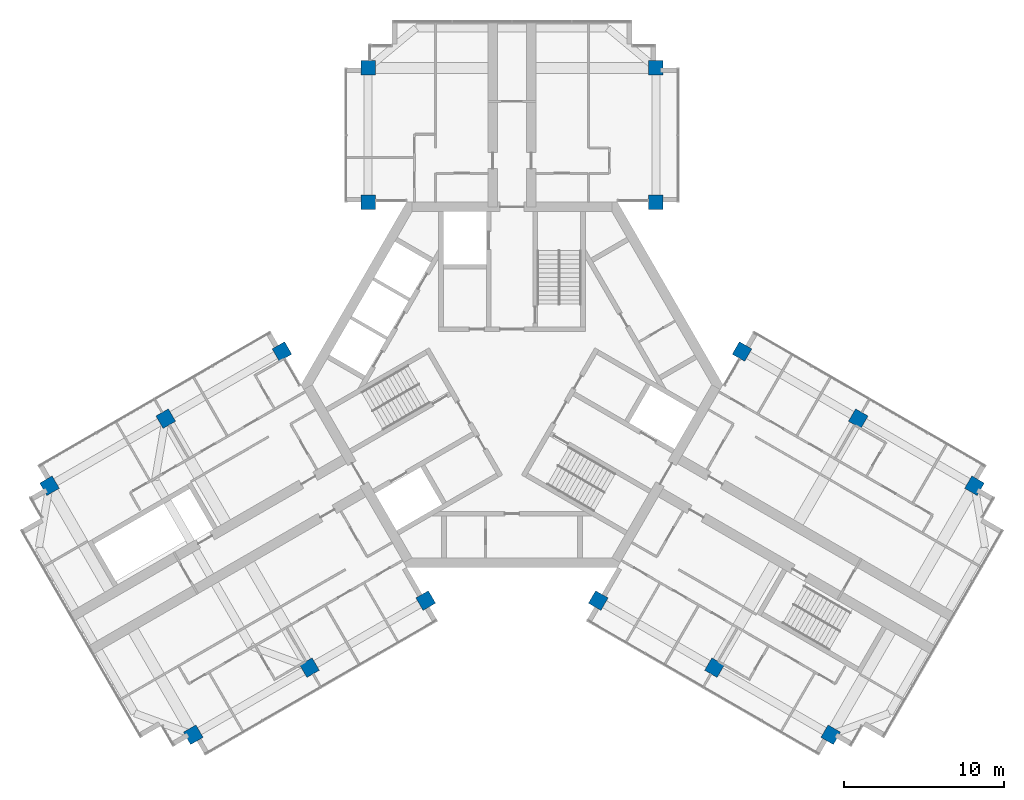
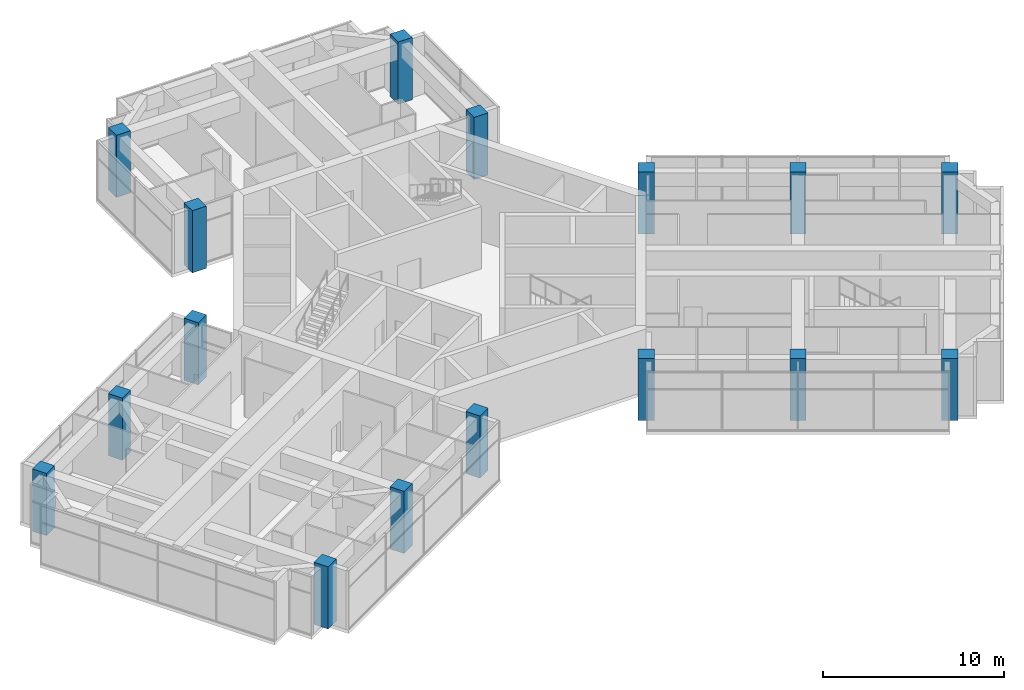
# One storey, part 1 of 14: 16 columns.
"""IFC4 building model written with IfcOpenShell, lengths in metres."""

from ifc_helpers import new_model, si_unit, direction, frame, origin, origin_2d, place, context, subcontext, project, spatial, rectangle, extrude, material, material_profile, profile_set, type_object, element, save


model = new_model("IFC4")

# Units and contexts
model_context = context("Model", 3, precision=1e-05, world=origin(), true_north=direction((0.0, 1.0)))
body_context = subcontext(model_context, "Body", "Model", "MODEL_VIEW")
ifc_project = project(units=[si_unit("LENGTHUNIT", "METRE"), si_unit("AREAUNIT", "SQUARE_METRE"), si_unit("VOLUMEUNIT", "CUBIC_METRE"), si_unit("PLANEANGLEUNIT", "RADIAN"), si_unit("MASSUNIT", "GRAM", prefix="KILO")], contexts=[model_context])

# Site, building, storey
site_placement = place(None, origin())
site = spatial("IfcSite", under=ifc_project, at=site_placement, CompositionType="ELEMENT")
building_placement = place(site_placement, origin())
building = spatial("IfcBuilding", under=site, at=building_placement, Name="Impinga Residences", CompositionType="ELEMENT")
storey_placement = place(building_placement, frame((0.0, 0.0, 278.949951171875)))
storey = spatial("IfcBuildingStorey", under=building, at=storey_placement, Name="L70", CompositionType="ELEMENT", Elevation=278.949951171875)

# Columns
ifc_material = material(Name="Concrete C60/75", Category="concrete")
ifc_material_profile = material_profile(ifc_material, rectangle(XDim=0.89990234375, YDim=0.89990234375, at=origin_2d()), Name="RC 900x900")
ifc_profile_set = profile_set([ifc_material_profile], Name="Concrete C60/75")
column_type = type_object("IfcColumnType", Name="C5 900x900 column", PredefinedType="COLUMN", material=ifc_profile_set)
for number, where, z_axis, x_axis, name in (
    (1, (-9.0, 11.431640625, 0.0), (0.0, 0.0, 1.0), (1.0, 0.0, 0.0), "Column C5 N1/NA L70"),
    (2, (9.0, 11.431640625, 0.0), (0.0, 0.0, 1.0), (1.0, 0.0, 0.0), "Column C5 N1/NF L70"),
    (3, (-9.0, 19.83154296875, 0.0), (0.0, 0.0, 1.0), (1.0, 0.0, 0.0), "Column C5 N2/NA L70"),
    (4, (9.0, 19.83154296875, 0.0), (0.0, 0.0, 1.0), (1.0, 0.0, 0.0), "Column C5 N2/NF L70"),
    (5, (-5.39990234375, -13.510009765625, 0.0), (0.0, 0.0, 1.0), (-0.5, 0.866025403784, 0.0), "Column C5 W1/WA L70"),
    (6, (-14.39990234375, 2.078369140625, 0.0), (0.0, 0.0, 1.0), (-0.5, 0.866025403784, 0.0), "Column C5 W1/WF L70"),
    (7, (-12.674560546875, -17.7099609375, 0.0), (0.0, 0.0, 1.0), (-0.5, 0.866025403784, 0.0), "Column C5 W2/WA L70"),
    (8, (-21.674560546875, -2.12158203125, 0.0), (0.0, 0.0, 1.0), (-0.5, 0.866025403784, 0.0), "Column C5 W2/WF L70"),
    (9, (-19.94921875, -21.909912109375, 0.0), (0.0, 0.0, 1.0), (-0.5, 0.866025403784, 0.0), "Column C5 W3/WA L70"),
    (10, (-28.94921875, -6.321533203125, 0.0), (0.0, 0.0, 1.0), (-0.5, 0.866025403784, 0.0), "Column C5 W3/WF L70"),
    (11, (14.39990234375, 2.078369140625, 0.0), (0.0, 0.0, 1.0), (-0.5, -0.866025403784, 0.0), "Column C5 E1/EA L70"),
    (12, (5.39990234375, -13.510009765625, 0.0), (0.0, 0.0, 1.0), (-0.5, -0.866025403784, 0.0), "Column C5 E1/EF L70"),
    (13, (21.674560546875, -2.12158203125, 0.0), (0.0, 0.0, 1.0), (-0.5, -0.866025403784, 0.0), "Column C5 E2/EA L70"),
    (14, (12.674560546875, -17.7099609375, 0.0), (0.0, 0.0, 1.0), (-0.5, -0.866025403784, 0.0), "Column C5 E2/EF L70"),
    (15, (28.94921875, -6.321533203125, 0.0), (0.0, 0.0, 1.0), (-0.5, -0.866025403784, 0.0), "Column C5 E3/EA L70"),
    (16, (19.94921875, -21.909912109375, 0.0), (0.0, 0.0, 1.0), (-0.5, -0.866025403784, 0.0), "Column C5 E3/EF L70"),
):
    element("IfcColumn", number, at=place(storey_placement, frame(where, z_axis=z_axis, x_axis=x_axis)), inside=storey, type_object=column_type, Name=name, PredefinedType="COLUMN", context=body_context, shape_type="SweptSolid", body=[
        extrude(rectangle(XDim=0.89990234375, YDim=0.89990234375, at=origin_2d()), origin(), (0.0, 0.0, 1.0), 4.199951171875),
    ])

save(model, "model.ifc")
